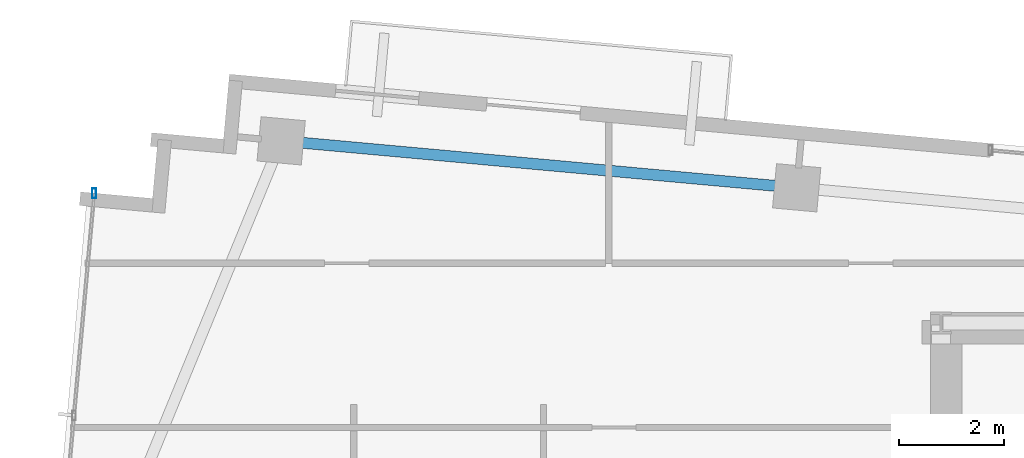
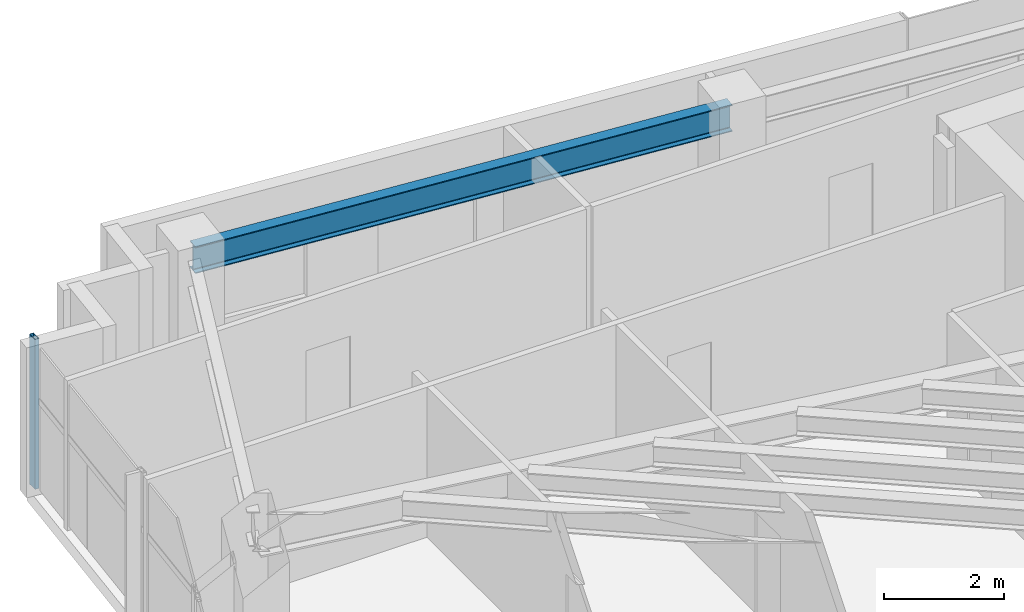
# One storey, part 9 of 22: 1 beam, 1 member, 1 element without a shape of its own.
"""IFC4 building model written with IfcOpenShell, lengths in metres."""

from ifc_helpers import new_model, si_unit, direction, frame, origin, origin_2d, place, context, subcontext, project, spatial, hollow_rectangle, i_section, extrude, source, transform, mapped, material, material_profile, profile_set, type_object, type_shapes, element, aggregate, save


model = new_model("IFC4")

# Units and contexts
model_context = context("Model", 3, precision=1e-05, world=origin(), true_north=direction((0.0, 1.0)))
body_context = subcontext(model_context, "Body", "Model", "MODEL_VIEW")
ifc_project = project(units=[si_unit("LENGTHUNIT", "METRE"), si_unit("AREAUNIT", "SQUARE_METRE"), si_unit("VOLUMEUNIT", "CUBIC_METRE"), si_unit("PLANEANGLEUNIT", "RADIAN"), si_unit("MASSUNIT", "GRAM", prefix="KILO")], contexts=[model_context])

# Site, building, storey
site_placement = place(None, origin())
site = spatial("IfcSite", under=ifc_project, at=site_placement, CompositionType="ELEMENT")
building_placement = place(site_placement, origin())
building = spatial("IfcBuilding", under=site, at=building_placement, Name="Astriad Promenade Condominiums", CompositionType="ELEMENT")
storey_placement = place(building_placement, frame((0.0, 0.0, 236.39990234375)))
storey = spatial("IfcBuildingStorey", under=building, at=storey_placement, Name="L68", CompositionType="ELEMENT", Elevation=236.39990234375)

# Beam
ifc_material_1 = material(Name="Steel ASTM A992 Grade 50", Category="steel")
ifc_material_profile_1 = material_profile(ifc_material_1, i_section(OverallWidth=0.210693359375, OverallDepth=0.53955078125, WebThickness=0.01171875, FlangeThickness=0.018798828125, FilletRadius=0.0166015625, at=origin_2d()), Name="W21X73")
ifc_profile_set_1 = profile_set([ifc_material_profile_1], Name="Steel ASTM A992 Grade 50")
beam_type = type_object("IfcBeamType", Name="STEEL SPANDREL BEAM W21X73", PredefinedType="SPANDREL", material=ifc_profile_set_1)
shared_shape_1 = source(origin(), body_context, "Body", "SweptSolid", [
    extrude(i_section(OverallWidth=0.210693359375, OverallDepth=0.53955078125, WebThickness=0.01171875, FlangeThickness=0.018798828125, FilletRadius=0.0166015625, at=origin_2d()), origin(), (0.0, 0.0, 1.0), 9.820068359375),
])
type_shapes(beam_type, [shared_shape_1])
beam_placement = place(storey_placement, frame((23.6005859375, 26.589111328125, 2.7705078125), z_axis=(-0.995883214993, 0.090645585088, 0.0), x_axis=(-0.090645585088, -0.995883214993, 0.0)))
element("IfcBeam", 1, at=beam_placement, inside=storey, type_object=beam_type, Name="Perimeter Spandrel Beam SP-N1-L68", PredefinedType="SPANDREL", context=body_context, shape_type="MappedRepresentation", body=[
    mapped(shared_shape_1, transform((0.0, 0.0, 0.0), scale=1.0)),
])

# Curtain wall, member
ifc_material_2 = material(Name="Anodised aluminium Black Dark Glass Unitised", Category="aluminium")
curtain_wall_type = type_object("IfcCurtainWallType", Name="CW-B5-DARK", PredefinedType="USERDEFINED", material=ifc_material_2)
curtain_wall_placement = place(storey_placement, origin())
curtain_wall = element("IfcCurtainWall", 2, at=curtain_wall_placement, inside=storey, type_object=curtain_wall_type, Name="CW-L68-W", ObjectType="UNITISED_CURTAIN_WALL", PredefinedType="USERDEFINED")
ifc_material_3 = material(Name="Anodised aluminium 6063-T6 Black", Category="aluminium")
ifc_material_profile_2 = material_profile(ifc_material_3, hollow_rectangle(XDim=0.074951171875, YDim=0.18505859375, WallThickness=0.00439453125, at=origin_2d()), Name="ALU-MUL-75X185")
ifc_profile_set_2 = profile_set([ifc_material_profile_2], Name="Anodised aluminium 6063-T6 Black")
member_type = type_object("IfcMemberType", Name="MUL-ALU-MUL-75X185", PredefinedType="MULLION", material=ifc_profile_set_2)
shared_shape_2 = source(origin(), body_context, "Body", "SweptSolid", [
    extrude(hollow_rectangle(XDim=0.074951171875, YDim=0.18505859375, WallThickness=0.00439453125, at=origin_2d()), origin(), (0.0, 0.0, 1.0), 3.0400390625),
])
type_shapes(member_type, [shared_shape_2])
member_placement = place(storey_placement, frame((10.205810546875, 26.482666015625, 0.0), z_axis=(0.0, 0.0, 1.0), x_axis=(1.0, 0.0, 0.0)))
member = element("IfcMember", 3, at=member_placement, type_object=member_type, Name="CW-L68-W-MUL-03", PredefinedType="MULLION", context=body_context, shape_type="MappedRepresentation", body=[
    mapped(shared_shape_2, transform((0.0, 0.0, 0.0), scale=1.0)),
])
aggregate(curtain_wall, [member])

save(model, "model.ifc")
